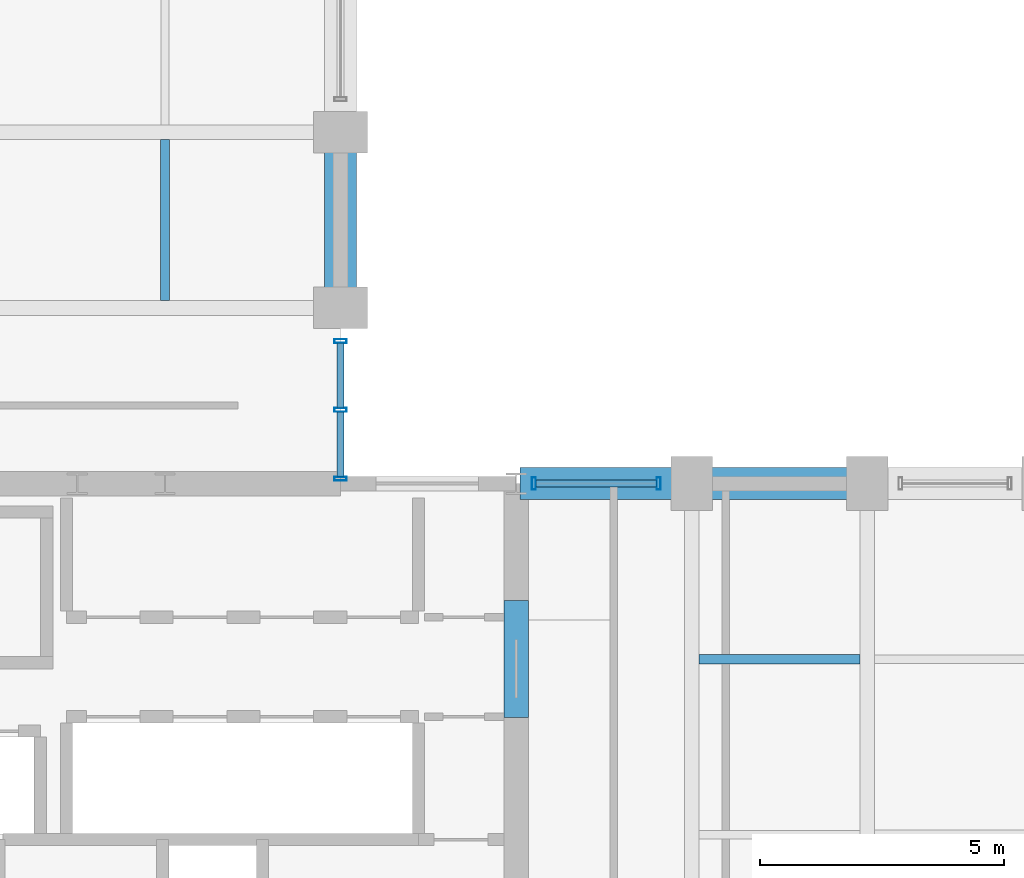
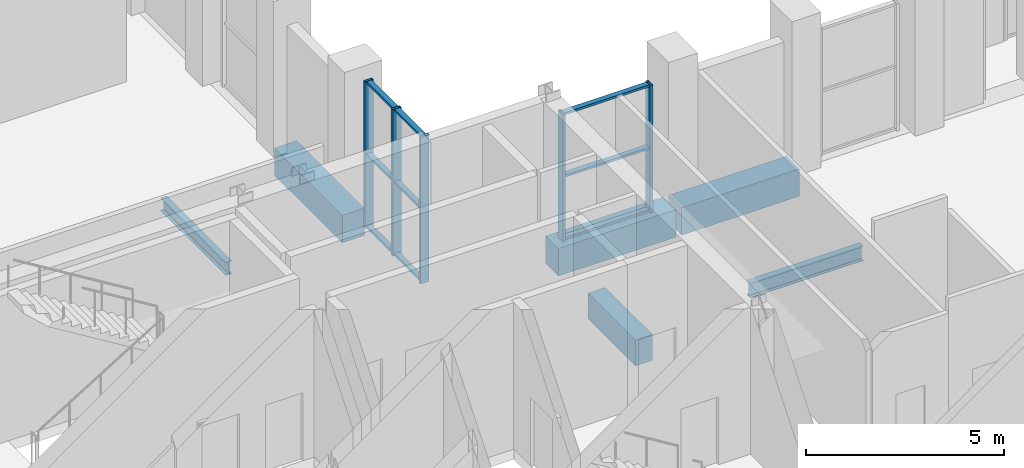
# One storey, part 7 of 22: 14 members, 6 beams, 2 elements without a shape of their own.
"""IFC4 building model written with IfcOpenShell, lengths in metres."""

from ifc_helpers import new_model, si_unit, direction, frame, origin, origin_2d, place, context, subcontext, project, spatial, rectangle, hollow_rectangle, i_section, extrude, material, layer, layer_set, material_profile, profile_set, type_object, element, aggregate, save


model = new_model("IFC4")

# Units and contexts
model_context = context("Model", 3, precision=1e-05, world=origin(), true_north=direction((0.0, 1.0)))
body_context = subcontext(model_context, "Body", "Model", "MODEL_VIEW")
ifc_project = project(units=[si_unit("LENGTHUNIT", "METRE"), si_unit("AREAUNIT", "SQUARE_METRE"), si_unit("VOLUMEUNIT", "CUBIC_METRE"), si_unit("PLANEANGLEUNIT", "RADIAN"), si_unit("MASSUNIT", "GRAM", prefix="KILO")], contexts=[model_context])

# Site, building, storey
site_placement = place(None, origin())
site = spatial("IfcSite", under=ifc_project, at=site_placement, CompositionType="ELEMENT")
building_placement = place(site_placement, origin())
building = spatial("IfcBuilding", under=site, at=building_placement, Name="Solnavia Interchange Tower", CompositionType="ELEMENT")
storey_placement = place(building_placement, frame((0.0, 0.0, 115.199951171875)))
storey = spatial("IfcBuildingStorey", under=building, at=storey_placement, Name="L28", CompositionType="ELEMENT", Elevation=115.199951171875)

# Beams
ifc_material_1 = material(Name="Concrete C50/60", Category="concrete")
ifc_material_profile_1 = material_profile(ifc_material_1, rectangle(XDim=0.5, YDim=0.800048828125, at=origin_2d()), Name="RC 500x800")
ifc_profile_set_1 = profile_set([ifc_material_profile_1], Name="Concrete C50/60")
beam_type_1 = type_object("IfcBeamType", Name="Beam-Coupling-RC500x800", PredefinedType="LINTEL", material=ifc_profile_set_1)
beam_1_placement = place(storey_placement, frame((32.39990234375, 20.39990234375, -0.39990234375), z_axis=(0.0, 1.0, 0.0), x_axis=(-1.0, 0.0, 0.0)))
element("IfcBeam", 1, at=beam_1_placement, inside=storey, type_object=beam_type_1, Name="CPB-L28-E2 Core coupling lintel beam", PredefinedType="LINTEL", context=body_context, shape_type="SweptSolid", body=[
    extrude(rectangle(XDim=0.5, YDim=0.800048828125, at=origin_2d()), origin(), (0.0, 0.0, 1.0), 2.400146484375),
])
ifc_material_2 = material(Name="Steel S355", Category="steel")
ifc_material_profile_2 = material_profile(ifc_material_2, i_section(OverallWidth=0.179931640625, OverallDepth=0.39990234375, WebThickness=0.008544921875, FlangeThickness=0.013427734375, FilletRadius=0.02099609375, at=origin_2d()), Name="IPE 400")
ifc_profile_set_2 = profile_set([ifc_material_profile_2], Name="Steel S355")
beam_type_2 = type_object("IfcBeamType", Name="Beam-Joist-IPE400", PredefinedType="JOIST", material=ifc_profile_set_2)
beam_2_placement = place(storey_placement, frame((25.199951171875, 28.949951171875, -0.52001953125), z_axis=(0.0, 1.0, 0.0), x_axis=(-1.0, 0.0, 0.0)))
element("IfcBeam", 2, at=beam_2_placement, inside=storey, type_object=beam_type_2, Name="JST-L28-N26 North wing secondary joist", PredefinedType="JOIST", context=body_context, shape_type="SweptSolid", body=[
    extrude(i_section(OverallWidth=0.179931640625, OverallDepth=0.39990234375, WebThickness=0.008544921875, FlangeThickness=0.013427734375, FilletRadius=0.02099609375, at=origin_2d()), origin(), (0.0, 0.0, 1.0), 3.300048828125),
])
ifc_material_profile_3 = material_profile(ifc_material_2, i_section(OverallWidth=0.18994140625, OverallDepth=0.449951171875, WebThickness=0.009521484375, FlangeThickness=0.0146484375, FilletRadius=0.02099609375, at=origin_2d()), Name="IPE 450")
ifc_profile_set_3 = profile_set([ifc_material_profile_3], Name="Steel S355")
beam_type_3 = type_object("IfcBeamType", Name="Beam-Joist-IPE450", PredefinedType="JOIST", material=ifc_profile_set_3)
beam_3_placement = place(storey_placement, frame((36.14990234375, 21.60009765625, -0.544921875), z_axis=(1.0, 0.0, 0.0), x_axis=(0.0, 1.0, 0.0)))
element("IfcBeam", 3, at=beam_3_placement, inside=storey, type_object=beam_type_3, Name="JST-L28-E13 East wing secondary joist", PredefinedType="JOIST", context=body_context, shape_type="SweptSolid", body=[
    extrude(i_section(OverallWidth=0.18994140625, OverallDepth=0.449951171875, WebThickness=0.009521484375, FlangeThickness=0.0146484375, FilletRadius=0.02099609375, at=origin_2d()), origin(), (0.0, 0.0, 1.0), 3.300048828125),
])
ifc_material_profile_4 = material_profile(ifc_material_1, rectangle(XDim=0.64990234375, YDim=0.85009765625, at=origin_2d()), Name="RC 650x850")
ifc_profile_set_4 = profile_set([ifc_material_profile_4], Name="Concrete C50/60")
beam_type_4 = type_object("IfcBeamType", Name="Beam-Spandrel-RC650x850", PredefinedType="SPANDREL", material=ifc_profile_set_4)
for number, where, z_axis, x_axis, name in (
    (4, (39.52001953125, 25.199951171875, -0.425048828125), (-1.0, 0.0, 0.0), (0.0, -1.0, 0.0), "SPB-L28-25 Framed-tube perimeter spandrel beam"),
    (5, (35.919921875, 25.199951171875, -0.425048828125), (-1.0, 0.0, 0.0), (0.0, -1.0, 0.0), "SPB-L28-26 Framed-tube perimeter spandrel beam"),
):
    element("IfcBeam", number, at=place(storey_placement, frame(where, z_axis=z_axis, x_axis=x_axis)), inside=storey, type_object=beam_type_4, Name=name, PredefinedType="SPANDREL", context=body_context, shape_type="SweptSolid", body=[
        extrude(rectangle(XDim=0.64990234375, YDim=0.85009765625, at=origin_2d()), origin(), (0.0, 0.0, 1.0), 3.43994140625),
    ])
beam_4_placement = place(storey_placement, frame((28.800048828125, 28.8798828125, -0.425048828125), z_axis=(0.0, 1.0, 0.0), x_axis=(-1.0, 0.0, 0.0)))
element("IfcBeam", 6, at=beam_4_placement, inside=storey, type_object=beam_type_4, Name="SPB-L28-27 Framed-tube perimeter spandrel beam", PredefinedType="SPANDREL", context=body_context, shape_type="SweptSolid", body=[
    extrude(rectangle(XDim=0.64990234375, YDim=0.85009765625, at=origin_2d()), origin(), (0.0, 0.0, 1.0), 3.440185546875),
])

# Curtain wall, members
ifc_material_3 = material(Name="Aluminium Alloy 6063-T6", Category="aluminium")
ifc_layer = layer(ifc_material_3, 0.27001953125)
ifc_layer_set = layer_set([ifc_layer], Name="Aluminium Alloy 6063-T6")
curtain_wall_type = type_object("IfcCurtainWallType", Name="CurtainWall-SkyLobby-CTW4", PredefinedType="NOTDEFINED", material=ifc_layer_set)
curtain_wall_1_placement = place(storey_placement, origin())
curtain_wall_1 = element("IfcCurtainWall", 7, at=curtain_wall_1_placement, inside=storey, type_object=curtain_wall_type, Name="CTW-L28-S30 CTW-4 curtain wall", PredefinedType="NOTDEFINED")
ifc_material_profile_5 = material_profile(ifc_material_3, hollow_rectangle(XDim=0.080078125, YDim=0.25, WallThickness=0.006103515625, at=origin_2d()), Name="ALU 250x80x6")
ifc_profile_set_5 = profile_set([ifc_material_profile_5], Name="Aluminium Alloy 6063-T6")
member_type_1 = type_object("IfcMemberType", Name="CW-Mullion-CWM-4", PredefinedType="MULLION", material=ifc_profile_set_5)
member_1_placement = place(storey_placement, frame((35.320068359375, 25.199951171875, 0.0), z_axis=(0.0, 0.0, 1.0), x_axis=(-1.0, 0.0, 0.0)))
member_1 = element("IfcMember", 8, at=member_1_placement, type_object=member_type_1, Name="CTW-4 mullion 1", PredefinedType="MULLION", context=body_context, shape_type="SweptSolid", body=[
    extrude(hollow_rectangle(XDim=0.080078125, YDim=0.25, WallThickness=0.006103515625, at=origin_2d()), origin(), (0.0, 0.0, 1.0), 3.929931640625),
])
member_2_placement = place(storey_placement, frame((32.763427734375, 25.199951171875, 0.0), z_axis=(0.0, 0.0, 1.0), x_axis=(-1.0, 0.0, 0.0)))
member_2 = element("IfcMember", 9, at=member_2_placement, type_object=member_type_1, Name="CTW-4 mullion 2", PredefinedType="MULLION", context=body_context, shape_type="SweptSolid", body=[
    extrude(hollow_rectangle(XDim=0.080078125, YDim=0.25, WallThickness=0.006103515625, at=origin_2d()), origin(), (0.0, 0.0, 1.0), 3.929931640625),
])

curtain_wall_2_placement = place(storey_placement, origin())
curtain_wall_2 = element("IfcCurtainWall", 10, at=curtain_wall_2_placement, inside=storey, type_object=curtain_wall_type, Name="CTW-L28-S32 CTW-4 curtain wall", PredefinedType="NOTDEFINED")
member_3_placement = place(storey_placement, frame((28.800048828125, 25.300048828125, 0.0), z_axis=(0.0, 0.0, 1.0), x_axis=(0.0, 1.0, 0.0)))
member_3 = element("IfcMember", 11, at=member_3_placement, type_object=member_type_1, Name="CTW-4 mullion 1", PredefinedType="MULLION", context=body_context, shape_type="SweptSolid", body=[
    extrude(hollow_rectangle(XDim=0.080078125, YDim=0.25, WallThickness=0.006103515625, at=origin_2d()), origin(), (0.0, 0.0, 1.0), 4.53515625),
])
member_4_placement = place(storey_placement, frame((28.800048828125, 26.7099609375, 0.0), z_axis=(0.0, 0.0, 1.0), x_axis=(0.0, 1.0, 0.0)))
member_4 = element("IfcMember", 12, at=member_4_placement, type_object=member_type_1, Name="CTW-4 mullion 2", PredefinedType="MULLION", context=body_context, shape_type="SweptSolid", body=[
    extrude(hollow_rectangle(XDim=0.080078125, YDim=0.25, WallThickness=0.006103515625, at=origin_2d()), origin(), (0.0, 0.0, 1.0), 4.53515625),
])
member_5_placement = place(storey_placement, frame((28.800048828125, 28.1201171875, 0.0), z_axis=(0.0, 0.0, 1.0), x_axis=(0.0, 1.0, 0.0)))
member_5 = element("IfcMember", 13, at=member_5_placement, type_object=member_type_1, Name="CTW-4 mullion 3", PredefinedType="MULLION", context=body_context, shape_type="SweptSolid", body=[
    extrude(hollow_rectangle(XDim=0.080078125, YDim=0.25, WallThickness=0.006103515625, at=origin_2d()), origin(), (0.0, 0.0, 1.0), 4.53515625),
])

# Member
ifc_material_profile_6 = material_profile(ifc_material_3, hollow_rectangle(XDim=0.070068359375, YDim=0.14990234375, WallThickness=0.00439453125, at=origin_2d()), Name="ALU 150x70x4.5")
ifc_profile_set_6 = profile_set([ifc_material_profile_6], Name="Aluminium Alloy 6063-T6")
member_type_2 = type_object("IfcMemberType", Name="CW-Transom-CWT-4", PredefinedType="USERDEFINED", material=ifc_profile_set_6)
member_6_placement = place(storey_placement, frame((35.280029296875, 25.199951171875, 0.03515625), z_axis=(-1.0, 0.0, 0.0), x_axis=(0.0, 0.0, 1.0)))
member_6 = element("IfcMember", 14, at=member_6_placement, type_object=member_type_2, Name="CTW-4 transom 1.1", ObjectType="TRANSOM", PredefinedType="USERDEFINED", context=body_context, shape_type="SweptSolid", body=[
    extrude(hollow_rectangle(XDim=0.070068359375, YDim=0.14990234375, WallThickness=0.00439453125, at=origin_2d()), origin(), (0.0, 0.0, 1.0), 2.4765625),
])

member_7_placement = place(storey_placement, frame((35.280029296875, 25.199951171875, 1.965087890625), z_axis=(-1.0, 0.0, 0.0), x_axis=(0.0, 0.0, 1.0)))
member_7 = element("IfcMember", 15, at=member_7_placement, type_object=member_type_2, Name="CTW-4 transom 1.2", ObjectType="TRANSOM", PredefinedType="USERDEFINED", context=body_context, shape_type="SweptSolid", body=[
    extrude(hollow_rectangle(XDim=0.070068359375, YDim=0.14990234375, WallThickness=0.00439453125, at=origin_2d()), origin(), (0.0, 0.0, 1.0), 2.4765625),
])

member_8_placement = place(storey_placement, frame((35.280029296875, 25.199951171875, 3.89501953125), z_axis=(-1.0, 0.0, 0.0), x_axis=(0.0, 0.0, 1.0)))
member_8 = element("IfcMember", 16, at=member_8_placement, type_object=member_type_2, Name="CTW-4 transom 1.3", ObjectType="TRANSOM", PredefinedType="USERDEFINED", context=body_context, shape_type="SweptSolid", body=[
    extrude(hollow_rectangle(XDim=0.070068359375, YDim=0.14990234375, WallThickness=0.00439453125, at=origin_2d()), origin(), (0.0, 0.0, 1.0), 2.4765625),
])

aggregate(curtain_wall_1, [member_1, member_2, member_6, member_7, member_8])

member_9_placement = place(storey_placement, frame((28.800048828125, 25.340087890625, 0.03515625), z_axis=(0.0, 1.0, 0.0), x_axis=(0.0, 0.0, 1.0)))
member_9 = element("IfcMember", 17, at=member_9_placement, type_object=member_type_2, Name="CTW-4 transom 1.1", ObjectType="TRANSOM", PredefinedType="USERDEFINED", context=body_context, shape_type="SweptSolid", body=[
    extrude(hollow_rectangle(XDim=0.070068359375, YDim=0.14990234375, WallThickness=0.00439453125, at=origin_2d()), origin(), (0.0, 0.0, 1.0), 1.329833984375),
])

member_10_placement = place(storey_placement, frame((28.800048828125, 25.340087890625, 2.26806640625), z_axis=(0.0, 1.0, 0.0), x_axis=(0.0, 0.0, 1.0)))
member_10 = element("IfcMember", 18, at=member_10_placement, type_object=member_type_2, Name="CTW-4 transom 1.2", ObjectType="TRANSOM", PredefinedType="USERDEFINED", context=body_context, shape_type="SweptSolid", body=[
    extrude(hollow_rectangle(XDim=0.070068359375, YDim=0.14990234375, WallThickness=0.00439453125, at=origin_2d()), origin(), (0.0, 0.0, 1.0), 1.329833984375),
])

member_11_placement = place(storey_placement, frame((28.800048828125, 25.340087890625, 4.5), z_axis=(0.0, 1.0, 0.0), x_axis=(0.0, 0.0, 1.0)))
member_11 = element("IfcMember", 19, at=member_11_placement, type_object=member_type_2, Name="CTW-4 transom 1.3", ObjectType="TRANSOM", PredefinedType="USERDEFINED", context=body_context, shape_type="SweptSolid", body=[
    extrude(hollow_rectangle(XDim=0.070068359375, YDim=0.14990234375, WallThickness=0.00439453125, at=origin_2d()), origin(), (0.0, 0.0, 1.0), 1.329833984375),
])

member_12_placement = place(storey_placement, frame((28.800048828125, 26.75, 0.03515625), z_axis=(0.0, 1.0, 0.0), x_axis=(0.0, 0.0, 1.0)))
member_12 = element("IfcMember", 20, at=member_12_placement, type_object=member_type_2, Name="CTW-4 transom 2.1", ObjectType="TRANSOM", PredefinedType="USERDEFINED", context=body_context, shape_type="SweptSolid", body=[
    extrude(hollow_rectangle(XDim=0.070068359375, YDim=0.14990234375, WallThickness=0.00439453125, at=origin_2d()), origin(), (0.0, 0.0, 1.0), 1.330078125),
])

member_13_placement = place(storey_placement, frame((28.800048828125, 26.75, 2.26806640625), z_axis=(0.0, 1.0, 0.0), x_axis=(0.0, 0.0, 1.0)))
member_13 = element("IfcMember", 21, at=member_13_placement, type_object=member_type_2, Name="CTW-4 transom 2.2", ObjectType="TRANSOM", PredefinedType="USERDEFINED", context=body_context, shape_type="SweptSolid", body=[
    extrude(hollow_rectangle(XDim=0.070068359375, YDim=0.14990234375, WallThickness=0.00439453125, at=origin_2d()), origin(), (0.0, 0.0, 1.0), 1.330078125),
])

member_14_placement = place(storey_placement, frame((28.800048828125, 26.75, 4.5), z_axis=(0.0, 1.0, 0.0), x_axis=(0.0, 0.0, 1.0)))
member_14 = element("IfcMember", 22, at=member_14_placement, type_object=member_type_2, Name="CTW-4 transom 2.3", ObjectType="TRANSOM", PredefinedType="USERDEFINED", context=body_context, shape_type="SweptSolid", body=[
    extrude(hollow_rectangle(XDim=0.070068359375, YDim=0.14990234375, WallThickness=0.00439453125, at=origin_2d()), origin(), (0.0, 0.0, 1.0), 1.330078125),
])

aggregate(curtain_wall_2, [member_3, member_4, member_5, member_9, member_10, member_11, member_12, member_13, member_14])

save(model, "model.ifc")
